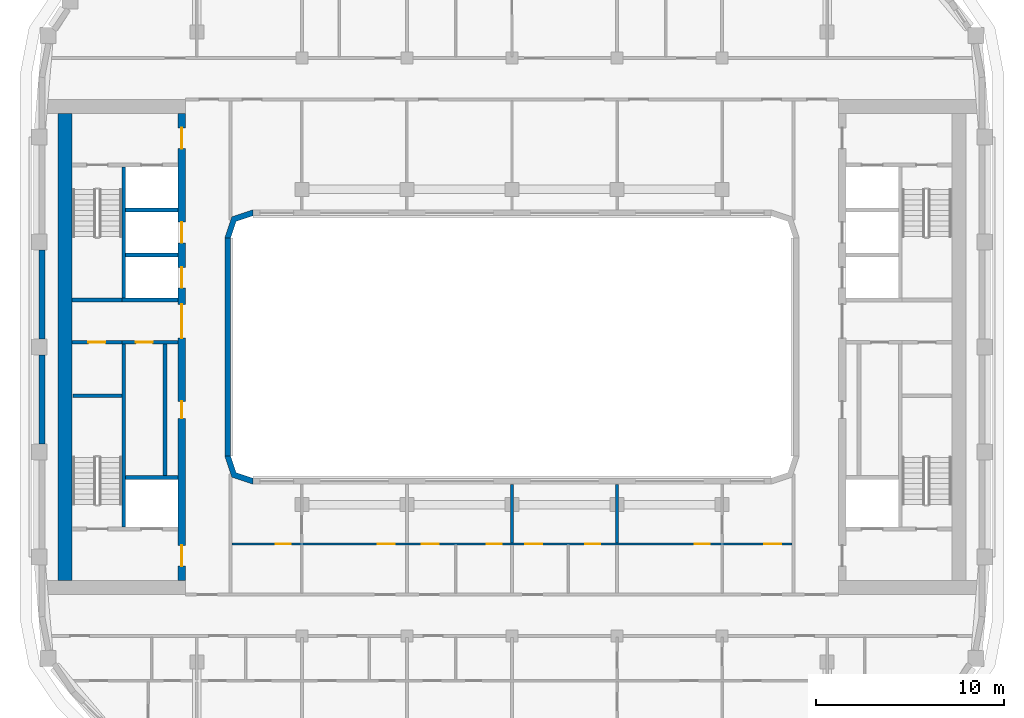
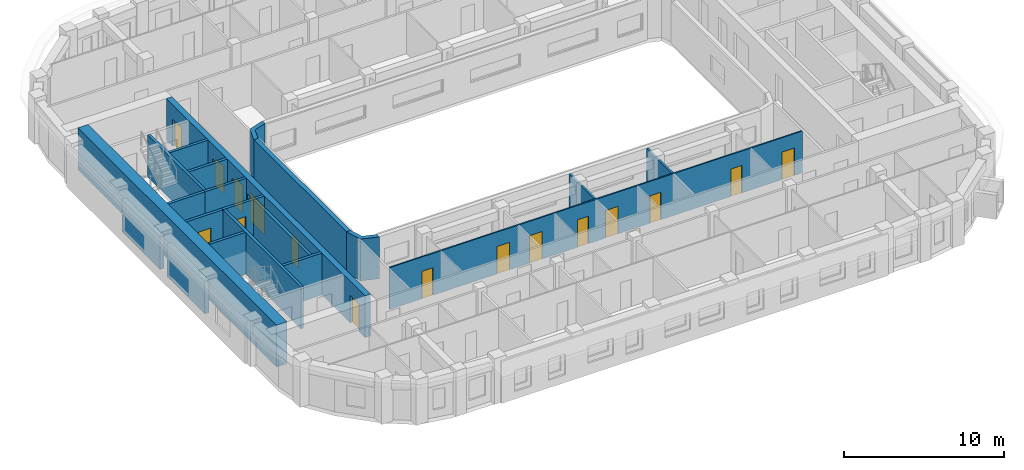
# One storey, part 4 of 21: 21 walls, 16 doors, 16 openings.
"""IFC4 building model written with IfcOpenShell, lengths in metres."""

from ifc_helpers import new_model, si_unit, direction, frame, frame_2d, origin, place, context, subcontext, project, spatial, polyline, rectangle, outline, extrude, material, layer, layer_set, type_object, element, fill, save


model = new_model("IFC4")

# Units and contexts
model_context = context("Model", 3, precision=1e-05, world=origin(), true_north=direction((0.0, 1.0)))
body_context = subcontext(model_context, "Body", "Model", "MODEL_VIEW")
ifc_project = project(units=[si_unit("LENGTHUNIT", "METRE"), si_unit("AREAUNIT", "SQUARE_METRE"), si_unit("VOLUMEUNIT", "CUBIC_METRE"), si_unit("PLANEANGLEUNIT", "RADIAN"), si_unit("MASSUNIT", "GRAM", prefix="KILO")], contexts=[model_context])

# Site, building, storey
site_placement = place(None, origin())
site = spatial("IfcSite", under=ifc_project, at=site_placement, CompositionType="ELEMENT")
building_placement = place(site_placement, origin())
building = spatial("IfcBuilding", under=site, at=building_placement, Name="Kiln Ring Residences", CompositionType="ELEMENT")
storey_placement = place(building_placement, frame((0.0, 0.0, 223.89990234375)))
storey = spatial("IfcBuildingStorey", under=building, at=storey_placement, Name="L58", CompositionType="ELEMENT", Elevation=223.89990234375)

# Wall, opening, door
ifc_material_1 = material(Name="Gypsum board on steel studs", Category="steel")
ifc_layer_1 = layer(ifc_material_1, 0.199951171875)
ifc_layer_set_1 = layer_set([ifc_layer_1], Name="CORE-PARTITION-200")
wall_type_1 = type_object("IfcWallType", Name="CORE-PARTITION-200", PredefinedType="PARTITIONING", material=ifc_layer_set_1)
wall_1_placement = place(storey_placement, frame((-20.800048828125, 0.25, 0.0), z_axis=(0.0, 0.0, 1.0), x_axis=(-1.0, 0.0, 0.0)))
wall_1 = element("IfcWall", 1, at=wall_1_placement, inside=storey, type_object=wall_type_1, Name="Core partition west L58 1", PredefinedType="PARTITIONING", context=body_context, shape_type="SweptSolid", body=[
    extrude(rectangle(XDim=2.64990234375, YDim=0.199951171875, at=frame_2d((1.324951171875, 0.0))), origin(), (0.0, 0.0, 1.0), 3.2001953125),
])
opening_1_placement = place(wall_1_placement, frame((0.875, 0.0, 0.0)))
opening_1 = element("IfcOpeningElement", 2, at=opening_1_placement, cuts=wall_1, Name="Opening L58-CW12", PredefinedType="OPENING", context=body_context, shape_type="SweptSolid", body=[
    extrude(rectangle(XDim=0.89990234375, YDim=2.10009765625, at=frame_2d((0.449951171875, 1.050048828125))), frame((0.0, 0.10986328125, 0.0), z_axis=(0.0, -1.0, 0.0), x_axis=(1.0, 0.0, 0.0)), (0.0, 0.0, 1.0), 0.219970703125),
])
ifc_material_2 = material(Name="Steel door leaf", Category="steel")
door_type_1 = type_object("IfcDoorType", Name="CORE-DOOR-ROOM", OperationType="SINGLE_SWING_LEFT", PredefinedType="DOOR", material=ifc_material_2)
door_1_placement = place(opening_1_placement, origin())
door_1 = element("IfcDoor", 3, at=door_1_placement, inside=storey, type_object=door_type_1, Name="Housekeeping store L58-CW12", OperationType="SINGLE_SWING_RIGHT", OverallHeight=2.10009765625, OverallWidth=0.89990234375, PredefinedType="DOOR", context=body_context, shape_type="SweptSolid", body=[
    extrude(rectangle(XDim=0.89990234375, YDim=2.10009765625, at=frame_2d((0.449951171875, 1.050048828125))), frame((0.0, 0.02490234375, 0.0), z_axis=(0.0, -1.0, 0.0), x_axis=(1.0, 0.0, 0.0)), (0.0, 0.0, 1.0), 0.050048828125),
])
fill(opening_1, door_1)

# Walls
wall_2_placement = place(storey_placement, frame((-18.5, -6.85009765625, 0.0), z_axis=(0.0, 0.0, 1.0), x_axis=(0.0, 1.0, 0.0)))
element("IfcWall", 4, at=wall_2_placement, inside=storey, type_object=wall_type_1, Name="Core partition west L58 2", PredefinedType="PARTITIONING", context=body_context, shape_type="SweptSolid", body=[
    extrude(rectangle(XDim=7.0, YDim=0.199951171875, at=frame_2d((3.5, 0.0))), origin(), (0.0, 0.0, 1.0), 3.2001953125),
])
ifc_material_3 = material(Name="Gypsum shaft wall system")
ifc_layer_2 = layer(ifc_material_3, 0.199951171875)
ifc_layer_set_2 = layer_set([ifc_layer_2], Name="CORE-SHAFT-WALL-200")
wall_type_2 = type_object("IfcWallType", Name="CORE-SHAFT-WALL-200", PredefinedType="PARTITIONING", material=ifc_layer_set_2)
wall_3_placement = place(storey_placement, frame((-17.800048828125, -6.949951171875, 0.0), z_axis=(0.0, 0.0, 1.0), x_axis=(-1.0, 0.0, 0.0)))
element("IfcWall", 5, at=wall_3_placement, inside=storey, type_object=wall_type_2, Name="Core partition west L58 3", PredefinedType="PARTITIONING", context=body_context, shape_type="SweptSolid", body=[
    extrude(rectangle(XDim=2.800048828125, YDim=0.199951171875, at=frame_2d((1.39990234375, 0.0))), origin(), (0.0, 0.0, 1.0), 3.2001953125),
])

# Wall, opening, door
wall_4_placement = place(storey_placement, frame((-17.800048828125, 0.25, 0.0), z_axis=(0.0, 0.0, 1.0), x_axis=(-1.0, 0.0, 0.0)))
wall_4 = element("IfcWall", 6, at=wall_4_placement, inside=storey, type_object=wall_type_2, Name="Core partition west L58 4", PredefinedType="PARTITIONING", context=body_context, shape_type="SweptSolid", body=[
    extrude(rectangle(XDim=3.0, YDim=0.199951171875, at=frame_2d((1.5, 0.0))), origin(), (0.0, 0.0, 1.0), 3.2001953125),
])
opening_2_placement = place(wall_4_placement, frame((1.35009765625, 0.0, 0.0)))
opening_2 = element("IfcOpeningElement", 7, at=opening_2_placement, cuts=wall_4, Name="Opening L58-CW03", PredefinedType="OPENING", context=body_context, shape_type="SweptSolid", body=[
    extrude(rectangle(XDim=0.89990234375, YDim=2.10009765625, at=frame_2d((0.449951171875, 1.050048828125))), frame((0.0, 0.10986328125, 0.0), z_axis=(0.0, -1.0, 0.0), x_axis=(1.0, 0.0, 0.0)), (0.0, 0.0, 1.0), 0.219970703125),
])
door_2_placement = place(opening_2_placement, origin())
door_2 = element("IfcDoor", 8, at=door_2_placement, inside=storey, type_object=door_type_1, Name="Goods store L58-CW03", OperationType="SINGLE_SWING_LEFT", OverallHeight=2.10009765625, OverallWidth=0.89990234375, PredefinedType="DOOR", context=body_context, shape_type="SweptSolid", body=[
    extrude(rectangle(XDim=0.89990234375, YDim=2.10009765625, at=frame_2d((0.449951171875, 1.050048828125))), frame((0.0, 0.02490234375, 0.0), z_axis=(0.0, -1.0, 0.0), x_axis=(1.0, 0.0, 0.0)), (0.0, 0.0, 1.0), 0.050048828125),
])
fill(opening_2, door_2)

# Walls
wall_5_placement = place(storey_placement, frame((-17.800048828125, 2.5, 0.0), z_axis=(0.0, 0.0, 1.0), x_axis=(-1.0, 0.0, 0.0)))
element("IfcWall", 9, at=wall_5_placement, inside=storey, type_object=wall_type_2, Name="Core partition west L58 5", PredefinedType="PARTITIONING", context=body_context, shape_type="SweptSolid", body=[
    extrude(rectangle(XDim=3.0, YDim=0.199951171875, at=frame_2d((1.5, 0.0))), origin(), (0.0, 0.0, 1.0), 3.2001953125),
])
for number, where, z_axis, x_axis, name in (
    (10, (-17.800048828125, 4.89990234375, 0.0), (0.0, 0.0, 1.0), (-1.0, 0.0, 0.0), "Core partition west L58 6"),
    (11, (-17.800048828125, 7.300048828125, 0.0), (0.0, 0.0, 1.0), (-1.0, 0.0, 0.0), "Core partition west L58 7"),
):
    element("IfcWall", number, at=place(storey_placement, frame(where, z_axis=z_axis, x_axis=x_axis)), inside=storey, type_object=wall_type_2, Name=name, PredefinedType="PARTITIONING", context=body_context, shape_type="SweptSolid", body=[
        extrude(rectangle(XDim=2.800048828125, YDim=0.199951171875, at=frame_2d((1.39990234375, 0.0))), origin(), (0.0, 0.0, 1.0), 3.2001953125),
    ])
ifc_material_4 = material(Name="Concrete C40/50", Category="concrete")
ifc_layer_3 = layer(ifc_material_4, 0.199951171875)
ifc_layer_set_3 = layer_set([ifc_layer_3], Name="CORE-WALL-RC200")
wall_type_3 = type_object("IfcWallType", Name="CORE-WALL-RC200", PredefinedType="SHEAR", material=ifc_layer_set_3)
wall_6_placement = place(storey_placement, frame((-20.699951171875, 2.60009765625, 0.0), z_axis=(0.0, 0.0, 1.0), x_axis=(0.0, 1.0, 0.0)))
element("IfcWall", 12, at=wall_6_placement, inside=storey, type_object=wall_type_3, Name="Core wall west L58 1", PredefinedType="SHEAR", context=body_context, shape_type="SweptSolid", body=[
    extrude(rectangle(XDim=7.0, YDim=0.199951171875, at=frame_2d((3.5, 0.0))), origin(), (0.0, 0.0, 1.0), 3.2001953125),
])
wall_7_placement = place(storey_placement, frame((-20.699951171875, -9.60009765625, 0.0), z_axis=(0.0, 0.0, 1.0), x_axis=(0.0, 1.0, 0.0)))
element("IfcWall", 13, at=wall_7_placement, inside=storey, type_object=wall_type_3, Name="Core wall west L58 2", PredefinedType="SHEAR", context=body_context, shape_type="SweptSolid", body=[
    extrude(rectangle(XDim=9.75, YDim=0.199951171875, at=frame_2d((4.875, 0.0))), origin(), (0.0, 0.0, 1.0), 3.2001953125),
])
wall_8_placement = place(storey_placement, frame((-20.800048828125, 2.5, 0.0), z_axis=(0.0, 0.0, 1.0), x_axis=(-1.0, 0.0, 0.0)))
element("IfcWall", 14, at=wall_8_placement, inside=storey, type_object=wall_type_3, Name="Core wall west L58 3", PredefinedType="SHEAR", context=body_context, shape_type="SweptSolid", body=[
    extrude(rectangle(XDim=2.64990234375, YDim=0.199951171875, at=frame_2d((1.324951171875, 0.0))), origin(), (0.0, 0.0, 1.0), 3.2001953125),
])
wall_9_placement = place(storey_placement, frame((-20.800048828125, -2.60009765625, 0.0), z_axis=(0.0, 0.0, 1.0), x_axis=(-1.0, 0.0, 0.0)))
element("IfcWall", 15, at=wall_9_placement, inside=storey, type_object=wall_type_3, Name="Core wall west L58 10", PredefinedType="SHEAR", context=body_context, shape_type="SweptSolid", body=[
    extrude(rectangle(XDim=2.599853515625, YDim=0.199951171875, at=frame_2d((1.2998046875, 0.0))), origin(), (0.0, 0.0, 1.0), 3.2001953125),
])

# Wall, openings, doors
ifc_material_5 = material(Name="Concrete C60/75", Category="concrete")
ifc_layer_4 = layer(ifc_material_5, 0.39990234375)
ifc_layer_set_4 = layer_set([ifc_layer_4], Name="CORE-WALL-RC400")
wall_type_4 = type_object("IfcWallType", Name="CORE-WALL-RC400", PredefinedType="SHEAR", material=ifc_layer_set_4)
wall_10_placement = place(storey_placement, frame((-17.60009765625, -12.449951171875, 0.0), z_axis=(0.0, 0.0, 1.0), x_axis=(0.0, 1.0, 0.0)))
wall_10 = element("IfcWall", 16, at=wall_10_placement, inside=storey, type_object=wall_type_4, Name="Core wall west L58 6", PredefinedType="SHEAR", context=body_context, shape_type="SweptSolid", body=[
    extrude(rectangle(XDim=24.89990234375, YDim=0.39990234375, at=frame_2d((12.449951171875, 0.0))), origin(), (0.0, 0.0, 1.0), 3.2001953125),
])
opening_3_placement = place(wall_10_placement, frame((8.64990234375, 0.0, 0.0)))
opening_3 = element("IfcOpeningElement", 17, at=opening_3_placement, cuts=wall_10, Name="Opening L58-CW02", PredefinedType="OPENING", context=body_context, shape_type="SweptSolid", body=[
    extrude(rectangle(XDim=0.89990234375, YDim=2.10009765625, at=frame_2d((0.449951171875, 1.050048828125))), frame((0.0, 0.2099609375, 0.0), z_axis=(0.0, -1.0, 0.0), x_axis=(1.0, 0.0, 0.0)), (0.0, 0.0, 1.0), 0.419921875),
])
opening_4_placement = place(wall_10_placement, frame((15.60009765625, 0.0, 0.0)))
opening_4 = element("IfcOpeningElement", 18, at=opening_4_placement, cuts=wall_10, Name="Opening L58-CW04", PredefinedType="OPENING", context=body_context, shape_type="SweptSolid", body=[
    extrude(rectangle(XDim=1.10009765625, YDim=2.10009765625, at=frame_2d((0.550048828125, 1.050048828125))), frame((0.0, 0.2099609375, 0.0), z_axis=(0.0, -1.0, 0.0), x_axis=(1.0, 0.0, 0.0)), (0.0, 0.0, 1.0), 0.419921875),
])
opening_5_placement = place(wall_10_placement, frame((18.0, 0.0, 0.0)))
opening_5 = element("IfcOpeningElement", 19, at=opening_5_placement, cuts=wall_10, Name="Opening L58-CW05", PredefinedType="OPENING", context=body_context, shape_type="SweptSolid", body=[
    extrude(rectangle(XDim=1.10009765625, YDim=2.10009765625, at=frame_2d((0.550048828125, 1.050048828125))), frame((0.0, 0.2099609375, 0.0), z_axis=(0.0, -1.0, 0.0), x_axis=(1.0, 0.0, 0.0)), (0.0, 0.0, 1.0), 0.419921875),
])
opening_6_placement = place(wall_10_placement, frame((23.02490234375, 0.0, 0.0)))
opening_6 = element("IfcOpeningElement", 20, at=opening_6_placement, cuts=wall_10, Name="Opening L58-CW07", PredefinedType="OPENING", context=body_context, shape_type="SweptSolid", body=[
    extrude(rectangle(XDim=1.10009765625, YDim=2.10009765625, at=frame_2d((0.550048828125, 1.050048828125))), frame((0.0, 0.2099609375, 0.0), z_axis=(0.0, -1.0, 0.0), x_axis=(1.0, 0.0, 0.0)), (0.0, 0.0, 1.0), 0.419921875),
])
opening_7_placement = place(wall_10_placement, frame((0.77490234375, 0.0, 0.0)))
opening_7 = element("IfcOpeningElement", 21, at=opening_7_placement, cuts=wall_10, Name="Opening L58-CW08", PredefinedType="OPENING", context=body_context, shape_type="SweptSolid", body=[
    extrude(rectangle(XDim=1.10009765625, YDim=2.10009765625, at=frame_2d((0.550048828125, 1.050048828125))), frame((0.0, 0.2099609375, 0.0), z_axis=(0.0, -1.0, 0.0), x_axis=(1.0, 0.0, 0.0)), (0.0, 0.0, 1.0), 0.419921875),
])
opening_8_placement = place(wall_10_placement, frame((12.925048828125, 0.0, 0.0)))
opening_8 = element("IfcOpeningElement", 22, at=opening_8_placement, cuts=wall_10, Name="Opening L58-CW11", PredefinedType="OPENING", context=body_context, shape_type="SweptSolid", body=[
    extrude(rectangle(XDim=1.800048828125, YDim=2.10009765625, at=frame_2d((0.89990234375, 1.050048828125))), frame((0.0, 0.2099609375, 0.0), z_axis=(0.0, -1.0, 0.0), x_axis=(1.0, 0.0, 0.0)), (0.0, 0.0, 1.0), 0.419921875),
])
ifc_material_6 = material(Name="Steel door leaf", Category="steel")
door_type_2 = type_object("IfcDoorType", Name="CORE-DOOR-LD", OperationType="DOUBLE_DOOR_SLIDING", PredefinedType="DOOR", material=ifc_material_6)
door_3_placement = place(opening_4_placement, origin())
door_3 = element("IfcDoor", 23, at=door_3_placement, inside=storey, type_object=door_type_2, Name="LD W-M1 L58-CW04", OperationType="DOUBLE_DOOR_SLIDING", OverallHeight=2.10009765625, OverallWidth=1.10009765625, PredefinedType="DOOR", context=body_context, shape_type="SweptSolid", body=[
    extrude(rectangle(XDim=1.10009765625, YDim=2.10009765625, at=frame_2d((0.550048828125, 1.050048828125))), frame((0.0, 0.02490234375, 0.0), z_axis=(0.0, -1.0, 0.0), x_axis=(1.0, 0.0, 0.0)), (0.0, 0.0, 1.0), 0.050048828125),
])
fill(opening_4, door_3)
door_4_placement = place(opening_5_placement, origin())
door_4 = element("IfcDoor", 24, at=door_4_placement, inside=storey, type_object=door_type_2, Name="LD W-M2 L58-CW05", OperationType="DOUBLE_DOOR_SLIDING", OverallHeight=2.10009765625, OverallWidth=1.10009765625, PredefinedType="DOOR", context=body_context, shape_type="SweptSolid", body=[
    extrude(rectangle(XDim=1.10009765625, YDim=2.10009765625, at=frame_2d((0.550048828125, 1.050048828125))), frame((0.0, 0.02490234375, 0.0), z_axis=(0.0, -1.0, 0.0), x_axis=(1.0, 0.0, 0.0)), (0.0, 0.0, 1.0), 0.050048828125),
])
fill(opening_5, door_4)
ifc_material_7 = material(Name="Steel door leaf", Category="steel")
door_type_3 = type_object("IfcDoorType", Name="CORE-DOOR-LOBBY", OperationType="SINGLE_SWING_LEFT", PredefinedType="DOOR", material=ifc_material_7)
door_5_placement = place(opening_6_placement, origin())
door_5 = element("IfcDoor", 25, at=door_5_placement, inside=storey, type_object=door_type_3, Name="FFL L58-CW07", OperationType="SINGLE_SWING_RIGHT", OverallHeight=2.10009765625, OverallWidth=1.10009765625, PredefinedType="DOOR", context=body_context, shape_type="SweptSolid", body=[
    extrude(rectangle(XDim=1.10009765625, YDim=2.10009765625, at=frame_2d((0.550048828125, 1.050048828125))), frame((0.0, 0.02490234375, 0.0), z_axis=(0.0, -1.0, 0.0), x_axis=(1.0, 0.0, 0.0)), (0.0, 0.0, 1.0), 0.050048828125),
])
fill(opening_6, door_5)
door_6_placement = place(opening_7_placement, origin())
door_6 = element("IfcDoor", 26, at=door_6_placement, inside=storey, type_object=door_type_3, Name="SVL L58-CW08", OperationType="SINGLE_SWING_LEFT", OverallHeight=2.10009765625, OverallWidth=1.10009765625, PredefinedType="DOOR", context=body_context, shape_type="SweptSolid", body=[
    extrude(rectangle(XDim=1.10009765625, YDim=2.10009765625, at=frame_2d((0.550048828125, 1.050048828125))), frame((0.0, 0.02490234375, 0.0), z_axis=(0.0, -1.0, 0.0), x_axis=(1.0, 0.0, 0.0)), (0.0, 0.0, 1.0), 0.050048828125),
])
fill(opening_7, door_6)
ifc_material_8 = material(Name="Steel door leaf", Category="steel")
door_type_4 = type_object("IfcDoorType", Name="CORE-DOOR-PASS", OperationType="DOUBLE_DOOR_SINGLE_SWING", PredefinedType="DOOR", material=ifc_material_8)
door_7_placement = place(opening_8_placement, origin())
door_7 = element("IfcDoor", 27, at=door_7_placement, inside=storey, type_object=door_type_4, Name="Core passage L58-CW11", OperationType="DOUBLE_DOOR_SINGLE_SWING", OverallHeight=2.10009765625, OverallWidth=1.800048828125, PredefinedType="DOOR", context=body_context, shape_type="SweptSolid", body=[
    extrude(rectangle(XDim=1.800048828125, YDim=2.10009765625, at=frame_2d((0.89990234375, 1.050048828125))), frame((0.0, 0.02490234375, 0.0), z_axis=(0.0, -1.0, 0.0), x_axis=(1.0, 0.0, 0.0)), (0.0, 0.0, 1.0), 0.050048828125),
])
fill(opening_8, door_7)
door_8_placement = place(opening_3_placement, origin())
door_8 = element("IfcDoor", 28, at=door_8_placement, inside=storey, type_object=door_type_1, Name="Cleaner's store L58-CW02", OperationType="SINGLE_SWING_RIGHT", OverallHeight=2.10009765625, OverallWidth=0.89990234375, PredefinedType="DOOR", context=body_context, shape_type="SweptSolid", body=[
    extrude(rectangle(XDim=0.89990234375, YDim=2.10009765625, at=frame_2d((0.449951171875, 1.050048828125))), frame((0.0, 0.02490234375, 0.0), z_axis=(0.0, -1.0, 0.0), x_axis=(1.0, 0.0, 0.0)), (0.0, 0.0, 1.0), 0.050048828125),
])
fill(opening_3, door_8)

# Walls
ifc_material_9 = material(Name="Concrete C60/75", Category="concrete")
ifc_layer_5 = layer(ifc_material_9, 0.75)
ifc_layer_set_5 = layer_set([ifc_layer_5], Name="CORE-WALL-RC750")
wall_type_5 = type_object("IfcWallType", Name="CORE-WALL-RC750", PredefinedType="SHEAR", material=ifc_layer_set_5)
wall_11_placement = place(storey_placement, frame((-23.824951171875, -12.449951171875, 0.0), z_axis=(0.0, 0.0, 1.0), x_axis=(0.0, 1.0, 0.0)))
element("IfcWall", 29, at=wall_11_placement, inside=storey, type_object=wall_type_5, Name="Core wall west L58 7", PredefinedType="SHEAR", context=body_context, shape_type="SweptSolid", body=[
    extrude(rectangle(XDim=24.89990234375, YDim=0.75, at=frame_2d((12.449951171875, 0.0))), origin(), (0.0, 0.0, 1.0), 3.2001953125),
])
ifc_material_10 = material(Name="Brick masonry, dark clay brick", Category="masonry")
ifc_layer_6 = layer(ifc_material_10, 0.300048828125)
ifc_layer_set_6 = layer_set([ifc_layer_6], Name="EW-300 BRICK WALL")
wall_type_6 = type_object("IfcWallType", Name="EW-300 BRICK WALL", PredefinedType="SOLIDWALL", material=ifc_layer_set_6)
for number, where, z_axis, x_axis, name in (
    (30, (-25.050048828125, 5.175048828125, 0.0), (0.0, 0.0, 1.0), (0.0, -1.0, 0.0), "Facade wall L58 41"),
    (31, (-25.050048828125, -0.425048828125, 0.0), (0.0, 0.0, 1.0), (0.0, -1.0, 0.0), "Facade wall L58 42"),
):
    element("IfcWall", number, at=place(storey_placement, frame(where, z_axis=z_axis, x_axis=x_axis)), inside=storey, type_object=wall_type_6, Name=name, PredefinedType="SOLIDWALL", context=body_context, shape_type="SweptSolid", body=[
        extrude(rectangle(XDim=4.75, YDim=0.300048828125, at=frame_2d((2.375, 0.0))), origin(), (0.0, 0.0, 1.0), 2.5),
    ])
wall_12_placement = place(storey_placement, frame((-15.14990234375, -5.800048828125, 0.0), z_axis=(0.0, 0.0, 1.0), x_axis=(0.0, 1.0, 0.0)))
element("IfcWall", 32, at=wall_12_placement, inside=storey, type_object=wall_type_6, Name="Facade wall L58 47", PredefinedType="SOLIDWALL", context=body_context, shape_type="SweptSolid", body=[
    extrude(rectangle(XDim=11.60009765625, YDim=0.300048828125, at=frame_2d((5.800048828125, 0.0))), origin(), (0.0, 0.0, 1.0), 3.2001953125),
])
placement = place(storey_placement, origin())
element("IfcWall", 33, at=placement, inside=storey, type_object=wall_type_6, Name="Corner wall L58 1", PredefinedType="SOLIDWALL", context=body_context, shape_type="SweptSolid", body=[
    extrude(outline(polyline([(-13.8486328125, 7.300048828125), (-14.937255859375, 6.937255859375), (-15.300048828125, 5.8486328125), (-15.300048828125, 5.800048828125), (-15.0, 5.800048828125), (-14.699951171875, 6.699951171875), (-13.800048828125, 7.0), (-13.800048828125, 7.300048828125), (-13.8486328125, 7.300048828125)])), origin(), (0.0, 0.0, 1.0), 3.2001953125),
])
element("IfcWall", 34, at=placement, inside=storey, type_object=wall_type_6, Name="Corner wall L58 4", PredefinedType="SOLIDWALL", context=body_context, shape_type="SweptSolid", body=[
    extrude(outline(polyline([(-14.937255859375, -6.937255859375), (-13.8486328125, -7.300048828125), (-13.800048828125, -7.300048828125), (-13.800048828125, -7.0), (-14.699951171875, -6.699951171875), (-15.0, -5.800048828125), (-15.300048828125, -5.800048828125), (-15.300048828125, -5.8486328125), (-14.937255859375, -6.937255859375)])), origin(), (0.0, 0.0, 1.0), 3.2001953125),
])

# Wall, openings, doors
ifc_material_11 = material(Name="Gypsum board on steel studs", Category="steel")
ifc_layer_7 = layer(ifc_material_11, 0.10009765625)
ifc_layer_set_7 = layer_set([ifc_layer_7], Name="PARTITION-100")
wall_type_7 = type_object("IfcWallType", Name="PARTITION-100", PredefinedType="PARTITIONING", material=ifc_layer_set_7)
wall_15_placement = place(storey_placement, frame((-14.925048828125, -10.5, 0.0), z_axis=(0.0, 0.0, 1.0), x_axis=(1.0, 0.0, 0.0)))
wall_15 = element("IfcWall", 35, at=wall_15_placement, inside=storey, type_object=wall_type_7, Name="Partition 003", PredefinedType="PARTITIONING", context=body_context, shape_type="SweptSolid", body=[
    extrude(rectangle(XDim=29.85009765625, YDim=0.10009765625, at=frame_2d((14.925048828125, 0.0))), origin(), (0.0, 0.0, 1.0), 3.2001953125),
])
opening_9_placement = place(wall_15_placement, frame((2.324951171875, 0.0, 0.0)))
opening_9 = element("IfcOpeningElement", 36, at=opening_9_placement, cuts=wall_15, Name="Opening L58-D032", PredefinedType="OPENING", context=body_context, shape_type="SweptSolid", body=[
    extrude(rectangle(XDim=0.800048828125, YDim=2.10009765625, at=frame_2d((0.39990234375, 1.050048828125))), frame((0.0, 0.06005859375, 0.0), z_axis=(0.0, -1.0, 0.0), x_axis=(1.0, 0.0, 0.0)), (0.0, 0.0, 1.0), 0.1201171875),
])
opening_10_placement = place(wall_15_placement, frame((7.77490234375, 0.0, 0.0)))
opening_10 = element("IfcOpeningElement", 37, at=opening_10_placement, cuts=wall_15, Name="Opening L58-D033", PredefinedType="OPENING", context=body_context, shape_type="SweptSolid", body=[
    extrude(rectangle(XDim=0.89990234375, YDim=2.10009765625, at=frame_2d((0.449951171875, 1.050048828125))), frame((0.0, 0.06005859375, 0.0), z_axis=(0.0, -1.0, 0.0), x_axis=(1.0, 0.0, 0.0)), (0.0, 0.0, 1.0), 0.1201171875),
])
opening_11_placement = place(wall_15_placement, frame((13.574951171875, 0.0, 0.0)))
opening_11 = element("IfcOpeningElement", 38, at=opening_11_placement, cuts=wall_15, Name="Opening L58-D036", PredefinedType="OPENING", context=body_context, shape_type="SweptSolid", body=[
    extrude(rectangle(XDim=0.800048828125, YDim=2.10009765625, at=frame_2d((0.39990234375, 1.050048828125))), frame((0.0, 0.06005859375, 0.0), z_axis=(0.0, -1.0, 0.0), x_axis=(1.0, 0.0, 0.0)), (0.0, 0.0, 1.0), 0.1201171875),
])
opening_12_placement = place(wall_15_placement, frame((10.125, 0.0, 0.0)))
opening_12 = element("IfcOpeningElement", 39, at=opening_12_placement, cuts=wall_15, Name="Opening L58-D037", PredefinedType="OPENING", context=body_context, shape_type="SweptSolid", body=[
    extrude(rectangle(XDim=0.89990234375, YDim=2.10009765625, at=frame_2d((0.449951171875, 1.050048828125))), frame((0.0, 0.06005859375, 0.0), z_axis=(0.0, -1.0, 0.0), x_axis=(1.0, 0.0, 0.0)), (0.0, 0.0, 1.0), 0.1201171875),
])
opening_13_placement = place(wall_15_placement, frame((18.824951171875, 0.0, 0.0)))
opening_13 = element("IfcOpeningElement", 40, at=opening_13_placement, cuts=wall_15, Name="Opening L58-D039", PredefinedType="OPENING", context=body_context, shape_type="SweptSolid", body=[
    extrude(rectangle(XDim=0.800048828125, YDim=2.10009765625, at=frame_2d((0.39990234375, 1.050048828125))), frame((0.0, 0.06005859375, 0.0), z_axis=(0.0, -1.0, 0.0), x_axis=(1.0, 0.0, 0.0)), (0.0, 0.0, 1.0), 0.1201171875),
])
opening_14_placement = place(wall_15_placement, frame((15.625, 0.0, 0.0)))
opening_14 = element("IfcOpeningElement", 41, at=opening_14_placement, cuts=wall_15, Name="Opening L58-D040", PredefinedType="OPENING", context=body_context, shape_type="SweptSolid", body=[
    extrude(rectangle(XDim=0.89990234375, YDim=2.10009765625, at=frame_2d((0.449951171875, 1.050048828125))), frame((0.0, 0.06005859375, 0.0), z_axis=(0.0, -1.0, 0.0), x_axis=(1.0, 0.0, 0.0)), (0.0, 0.0, 1.0), 0.1201171875),
])
opening_15_placement = place(wall_15_placement, frame((24.675048828125, 0.0, 0.0)))
opening_15 = element("IfcOpeningElement", 42, at=opening_15_placement, cuts=wall_15, Name="Opening L58-D042", PredefinedType="OPENING", context=body_context, shape_type="SweptSolid", body=[
    extrude(rectangle(XDim=0.800048828125, YDim=2.10009765625, at=frame_2d((0.39990234375, 1.050048828125))), frame((0.0, 0.06005859375, 0.0), z_axis=(0.0, -1.0, 0.0), x_axis=(1.0, 0.0, 0.0)), (0.0, 0.0, 1.0), 0.1201171875),
])
opening_16_placement = place(wall_15_placement, frame((28.375, 0.0, 0.0)))
opening_16 = element("IfcOpeningElement", 43, at=opening_16_placement, cuts=wall_15, Name="Opening L58-D043", PredefinedType="OPENING", context=body_context, shape_type="SweptSolid", body=[
    extrude(rectangle(XDim=0.89990234375, YDim=2.10009765625, at=frame_2d((0.449951171875, 1.050048828125))), frame((0.0, 0.06005859375, 0.0), z_axis=(0.0, -1.0, 0.0), x_axis=(1.0, 0.0, 0.0)), (0.0, 0.0, 1.0), 0.1201171875),
])
ifc_material_12 = material(Name="Timber door leaf", Category="wood")
door_type_5 = type_object("IfcDoorType", Name="FLAT-DOOR-800-PL", OperationType="SINGLE_SWING_LEFT", PredefinedType="DOOR", material=ifc_material_12)
door_9_placement = place(opening_9_placement, origin())
door_9 = element("IfcDoor", 44, at=door_9_placement, inside=storey, type_object=door_type_5, Name="Door L58-D032", OperationType="SINGLE_SWING_RIGHT", OverallHeight=2.10009765625, OverallWidth=0.800048828125, PredefinedType="DOOR", context=body_context, shape_type="SweptSolid", body=[
    extrude(rectangle(XDim=0.800048828125, YDim=2.10009765625, at=frame_2d((0.39990234375, 1.050048828125))), frame((0.0, 0.02490234375, 0.0), z_axis=(0.0, -1.0, 0.0), x_axis=(1.0, 0.0, 0.0)), (0.0, 0.0, 1.0), 0.050048828125),
])
fill(opening_9, door_9)
door_10_placement = place(opening_11_placement, origin())
door_10 = element("IfcDoor", 45, at=door_10_placement, inside=storey, type_object=door_type_5, Name="Door L58-D036", OperationType="SINGLE_SWING_RIGHT", OverallHeight=2.10009765625, OverallWidth=0.800048828125, PredefinedType="DOOR", context=body_context, shape_type="SweptSolid", body=[
    extrude(rectangle(XDim=0.800048828125, YDim=2.10009765625, at=frame_2d((0.39990234375, 1.050048828125))), frame((0.0, 0.02490234375, 0.0), z_axis=(0.0, -1.0, 0.0), x_axis=(1.0, 0.0, 0.0)), (0.0, 0.0, 1.0), 0.050048828125),
])
fill(opening_11, door_10)
door_11_placement = place(opening_13_placement, origin())
door_11 = element("IfcDoor", 46, at=door_11_placement, inside=storey, type_object=door_type_5, Name="Door L58-D039", OperationType="SINGLE_SWING_LEFT", OverallHeight=2.10009765625, OverallWidth=0.800048828125, PredefinedType="DOOR", context=body_context, shape_type="SweptSolid", body=[
    extrude(rectangle(XDim=0.800048828125, YDim=2.10009765625, at=frame_2d((0.39990234375, 1.050048828125))), frame((0.0, 0.02490234375, 0.0), z_axis=(0.0, -1.0, 0.0), x_axis=(1.0, 0.0, 0.0)), (0.0, 0.0, 1.0), 0.050048828125),
])
fill(opening_13, door_11)
door_12_placement = place(opening_15_placement, origin())
door_12 = element("IfcDoor", 47, at=door_12_placement, inside=storey, type_object=door_type_5, Name="Door L58-D042", OperationType="SINGLE_SWING_RIGHT", OverallHeight=2.10009765625, OverallWidth=0.800048828125, PredefinedType="DOOR", context=body_context, shape_type="SweptSolid", body=[
    extrude(rectangle(XDim=0.800048828125, YDim=2.10009765625, at=frame_2d((0.39990234375, 1.050048828125))), frame((0.0, 0.02490234375, 0.0), z_axis=(0.0, -1.0, 0.0), x_axis=(1.0, 0.0, 0.0)), (0.0, 0.0, 1.0), 0.050048828125),
])
fill(opening_15, door_12)
ifc_material_13 = material(Name="Timber door leaf", Category="wood")
door_type_6 = type_object("IfcDoorType", Name="FLAT-DOOR-900-PL", OperationType="SINGLE_SWING_LEFT", PredefinedType="DOOR", material=ifc_material_13)
door_13_placement = place(opening_10_placement, origin())
door_13 = element("IfcDoor", 48, at=door_13_placement, inside=storey, type_object=door_type_6, Name="Door L58-D033", OperationType="SINGLE_SWING_LEFT", OverallHeight=2.10009765625, OverallWidth=0.89990234375, PredefinedType="DOOR", context=body_context, shape_type="SweptSolid", body=[
    extrude(rectangle(XDim=0.89990234375, YDim=2.10009765625, at=frame_2d((0.449951171875, 1.050048828125))), frame((0.0, 0.02490234375, 0.0), z_axis=(0.0, -1.0, 0.0), x_axis=(1.0, 0.0, 0.0)), (0.0, 0.0, 1.0), 0.050048828125),
])
fill(opening_10, door_13)
door_14_placement = place(opening_12_placement, origin())
door_14 = element("IfcDoor", 49, at=door_14_placement, inside=storey, type_object=door_type_6, Name="Door L58-D037", OperationType="SINGLE_SWING_LEFT", OverallHeight=2.10009765625, OverallWidth=0.89990234375, PredefinedType="DOOR", context=body_context, shape_type="SweptSolid", body=[
    extrude(rectangle(XDim=0.89990234375, YDim=2.10009765625, at=frame_2d((0.449951171875, 1.050048828125))), frame((0.0, 0.02490234375, 0.0), z_axis=(0.0, -1.0, 0.0), x_axis=(1.0, 0.0, 0.0)), (0.0, 0.0, 1.0), 0.050048828125),
])
fill(opening_12, door_14)
door_15_placement = place(opening_14_placement, origin())
door_15 = element("IfcDoor", 50, at=door_15_placement, inside=storey, type_object=door_type_6, Name="Door L58-D040", OperationType="SINGLE_SWING_RIGHT", OverallHeight=2.10009765625, OverallWidth=0.89990234375, PredefinedType="DOOR", context=body_context, shape_type="SweptSolid", body=[
    extrude(rectangle(XDim=0.89990234375, YDim=2.10009765625, at=frame_2d((0.449951171875, 1.050048828125))), frame((0.0, 0.02490234375, 0.0), z_axis=(0.0, -1.0, 0.0), x_axis=(1.0, 0.0, 0.0)), (0.0, 0.0, 1.0), 0.050048828125),
])
fill(opening_14, door_15)
door_16_placement = place(opening_16_placement, origin())
door_16 = element("IfcDoor", 51, at=door_16_placement, inside=storey, type_object=door_type_6, Name="Door L58-D043", OperationType="SINGLE_SWING_LEFT", OverallHeight=2.10009765625, OverallWidth=0.89990234375, PredefinedType="DOOR", context=body_context, shape_type="SweptSolid", body=[
    extrude(rectangle(XDim=0.89990234375, YDim=2.10009765625, at=frame_2d((0.449951171875, 1.050048828125))), frame((0.0, 0.02490234375, 0.0), z_axis=(0.0, -1.0, 0.0), x_axis=(1.0, 0.0, 0.0)), (0.0, 0.0, 1.0), 0.050048828125),
])
fill(opening_16, door_16)

# Walls
ifc_material_14 = material(Name="Brick masonry partition", Category="masonry")
ifc_layer_8 = layer(ifc_material_14, 0.14990234375)
ifc_layer_set_8 = layer_set([ifc_layer_8], Name="PARTITION-150-ei60")
wall_type_8 = type_object("IfcWallType", Name="PARTITION-150-ei60", PredefinedType="PARTITIONING", material=ifc_layer_set_8)
for number, where, z_axis, x_axis, name in (
    (52, (0.0, -10.449951171875, 0.0), (0.0, 0.0, 1.0), (0.0, 1.0, 0.0), "Partition 041"),
    (53, (5.60009765625, -10.449951171875, 0.0), (0.0, 0.0, 1.0), (0.0, 1.0, 0.0), "Partition 048"),
):
    element("IfcWall", number, at=place(storey_placement, frame(where, z_axis=z_axis, x_axis=x_axis)), inside=storey, type_object=wall_type_8, Name=name, PredefinedType="PARTITIONING", context=body_context, shape_type="SweptSolid", body=[
        extrude(rectangle(XDim=3.1298828125, YDim=0.14990234375, at=frame_2d((1.56494140625, 0.0))), origin(), (0.0, 0.0, 1.0), 3.2001953125),
    ])

save(model, "model.ifc")
